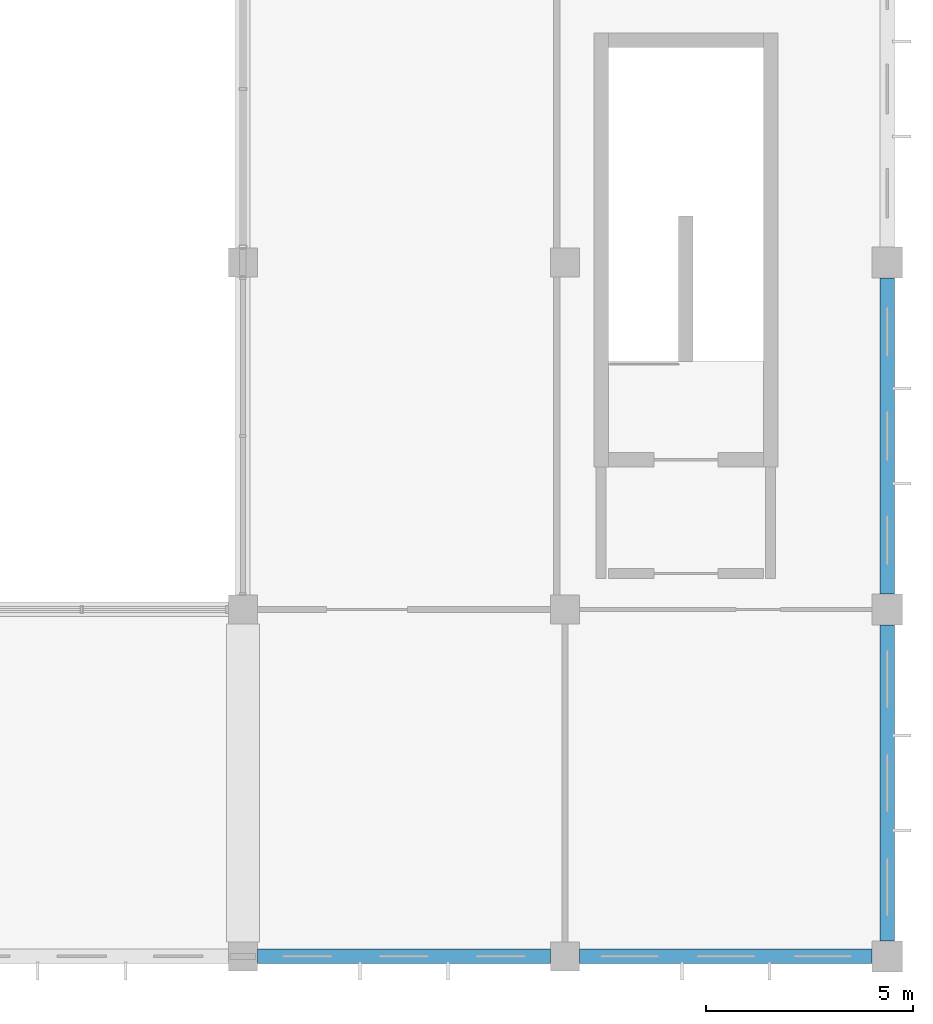
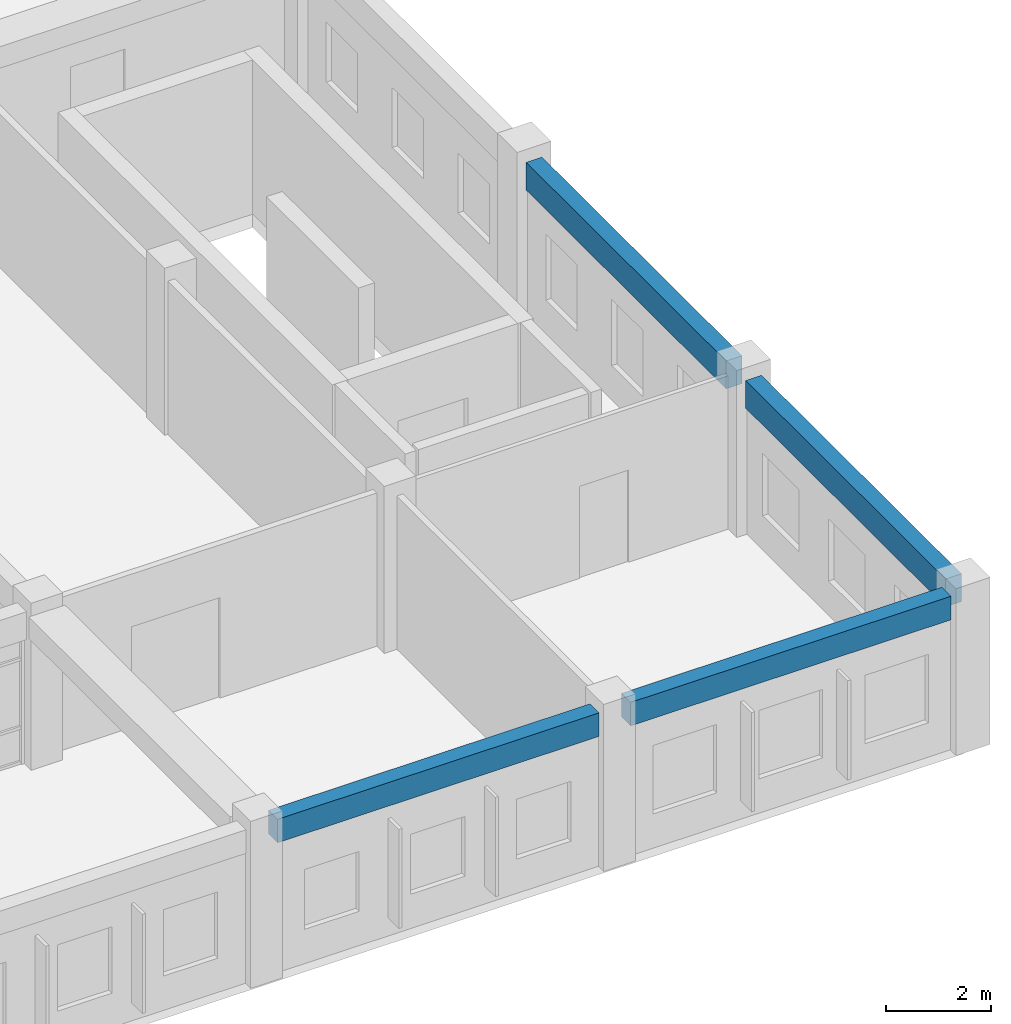
# One storey, part 28 of 72: 4 beams.
"""IFC4 building model written with IfcOpenShell, lengths in metres."""

import ifcopenshell
import ifcopenshell.guid

model = None  # the IFC model being written
_history = None  # IfcOwnerHistory: only IFC2X3 demands one
_inside = {}  # id of a spatial element -> (the spatial element, [elements in it])
_under = {}  # id of a project, library or spatial element -> (it, [spatial elements below it])
_declared = {}  # id of a project -> (the project, [libraries it declares])
_typed = {}  # id of a type object -> (the type object, [elements of that type])
_made_of = {}  # id of a material, layer set ... -> (it, [elements and type objects made of it])


def new_model(schema):
    """Start an empty IFC model of exactly this schema.

    Asked for "IFC4X3", IfcOpenShell would pick the latest addendum, in which some entities
    have other attributes; the version numbers below select the first issue.
    IFC2X3 requires an IfcOwnerHistory on every rooted entity: one is made here for all.
    """
    global model, _history
    if schema == "IFC4X3":
        model = ifcopenshell.file(schema_version=(4, 3, 0, 0))
    else:
        model = ifcopenshell.file(schema=schema)
    _inside.clear()
    _under.clear()
    _declared.clear()
    _typed.clear()
    _made_of.clear()
    _history = None
    if model.schema == "IFC2X3":
        org = make("IfcOrganization", Name="unknown")
        user = make(
            "IfcPersonAndOrganization",
            ThePerson=make("IfcPerson", FamilyName="unknown"),
            TheOrganization=org,
        )
        app = make(
            "IfcApplication",
            ApplicationDeveloper=org,
            Version="unknown",
            ApplicationFullName="unknown",
            ApplicationIdentifier="unknown",
        )
        _history = make(
            "IfcOwnerHistory",
            OwningUser=user,
            OwningApplication=app,
            ChangeAction="ADDED",
            CreationDate=0,
        )
    return model


def make(cls, **values):
    """One entity of the class cls with the attributes given. An attribute that is None is left unset."""
    return model.create_entity(
        cls, **{name: value for name, value in values.items() if value is not None}
    )


def rooted(cls, **values):
    """An entity with a GlobalId (a new one), such as an element, a storey or a relation."""
    return make(cls, GlobalId=ifcopenshell.guid.new(), OwnerHistory=_history, **values)


def si_unit(unit_type, name, prefix=None):
    """IfcSIUnit, for example si_unit("LENGTHUNIT", "METRE", prefix="MILLI")."""
    return make("IfcSIUnit", UnitType=unit_type, Prefix=prefix, Name=name)


def assignment(units):
    """IfcUnitAssignment: the units of a project."""
    return None if units is None else make("IfcUnitAssignment", Units=units)


def point(xyz):
    """IfcCartesianPoint."""
    return None if xyz is None else make("IfcCartesianPoint", Coordinates=xyz)


def direction(xyz):
    """IfcDirection."""
    return None if xyz is None else make("IfcDirection", DirectionRatios=xyz)


def frame(location, z_axis=None, x_axis=None):
    """IfcAxis2Placement3D, a coordinate frame: its origin and axes. An axis left out is left unset."""
    return make(
        "IfcAxis2Placement3D",
        Location=point(location),
        Axis=direction(z_axis),
        RefDirection=direction(x_axis),
    )


def frame_2d(location, x_axis=None):
    """IfcAxis2Placement2D, a coordinate frame in the plane: its origin and x axis."""
    return make(
        "IfcAxis2Placement2D", Location=point(location), RefDirection=direction(x_axis)
    )


def origin():
    """The frame at (0, 0, 0) with its axes left unset."""
    return frame((0.0, 0.0, 0.0))


def origin_2d():
    """The frame at (0, 0) in the plane with its x axis left unset."""
    return frame_2d((0.0, 0.0))


def place(relative_to, where):
    """IfcLocalPlacement: puts the frame where relative to a parent placement (None: the world)."""
    return make(
        "IfcLocalPlacement", PlacementRelTo=relative_to, RelativePlacement=where
    )


def context(
    kind, dimensions, precision=None, world=None, true_north=None, identifier=None
):
    """IfcGeometricRepresentationContext, for example the 3D "Model" context."""
    return make(
        "IfcGeometricRepresentationContext",
        ContextIdentifier=identifier,
        ContextType=kind,
        CoordinateSpaceDimension=dimensions,
        Precision=precision,
        WorldCoordinateSystem=world,
        TrueNorth=true_north,
    )


def subcontext(parent, identifier, kind, view, scale=None):
    """IfcGeometricRepresentationSubContext, for example "Body" below "Model"."""
    return make(
        "IfcGeometricRepresentationSubContext",
        ContextIdentifier=identifier,
        ContextType=kind,
        ParentContext=parent,
        TargetScale=scale,
        TargetView=view,
    )


def project(units=None, contexts=None):
    """IfcProject with its units and contexts."""
    return rooted(
        "IfcProject",
        Name="project",
        RepresentationContexts=contexts,
        UnitsInContext=assignment(units),
    )


def spatial(cls, under=None, at=None, **own):
    """A site, building, storey or space (cls), placed at a placement, below another one or the project."""
    s = rooted(cls, ObjectPlacement=at, **own)
    if under is not None:
        _under.setdefault(under.id(), (under, []))[1].append(s)
    return s


def profile(cls, at=None, kind="AREA", **sizes):
    """A parametric profile (cls). Its sizes go by their IFC names, for example OverallWidth=200.0."""
    return make(cls, ProfileType=kind, Position=at, **sizes)


def rectangle(**sizes):
    """IfcRectangleProfileDef."""
    return profile("IfcRectangleProfileDef", **sizes)


def extrude(swept, where, along, depth):
    """IfcExtrudedAreaSolid: the profile swept, set in the frame where, extruded along a direction by depth."""
    return make(
        "IfcExtrudedAreaSolid",
        SweptArea=swept,
        Position=where,
        ExtrudedDirection=direction(along),
        Depth=depth,
    )


def shape(context_of_items, identifier, shape_type, items):
    """IfcShapeRepresentation: the items that make up one representation, for example the "Body"."""
    return make(
        "IfcShapeRepresentation",
        ContextOfItems=context_of_items,
        RepresentationIdentifier=identifier,
        RepresentationType=shape_type,
        Items=items,
    )


def material(Name=None, Category=None):
    """IfcMaterial."""
    return make("IfcMaterial", Name=Name, Category=Category)


def material_profile(
    of_material, cross_section, Name=None, Category=None, Priority=None
):
    """IfcMaterialProfile: a cross section and its material."""
    return make(
        "IfcMaterialProfile",
        Name=Name,
        Material=of_material,
        Profile=cross_section,
        Priority=Priority,
        Category=Category,
    )


def profile_set(profiles, Name=None, composite=None):
    """IfcMaterialProfileSet."""
    return make(
        "IfcMaterialProfileSet",
        Name=Name,
        MaterialProfiles=profiles,
        CompositeProfile=composite,
    )


def made_of(thing, what):
    """Note that an element or type object is made of a material, layer set ...; save() writes the relation."""
    if what is not None:
        _made_of.setdefault(what.id(), (what, []))[1].append(thing)
    return thing


def type_object(cls, material=None, **own):
    """A type object (cls), such as IfcWallType, which elements share."""
    return made_of(rooted(cls, **own), material)


def element(
    cls,
    number,
    at=None,
    inside=None,
    cuts=None,
    type_object=None,
    material=None,
    context=None,
    identifier="Body",
    shape_type=None,
    held_by="IfcProductDefinitionShape",
    body=None,
    shapes=None,
    **own,
):
    """One element of the class cls, such as IfcWall. Its Tag is "e" and its number.

    at: its placement. inside: the storey or other place that contains it. cuts: it is an
    opening in that element (IfcRelVoidsElement). A single representation is given by context,
    identifier, shape_type and body (its items); several are given by shapes. held_by: the class
    of the entity that holds the representations. save() writes the other relations.
    """
    e = rooted(cls, Tag="e%d" % number, ObjectPlacement=at, **own)
    if body is not None:
        shapes = [shape(context, identifier, shape_type, body)]
    if shapes is not None:
        e.Representation = make(held_by, Representations=shapes)
    if inside is not None:
        _inside.setdefault(inside.id(), (inside, []))[1].append(e)
    if cuts is not None:
        rooted(
            "IfcRelVoidsElement", RelatingBuildingElement=cuts, RelatedOpeningElement=e
        )
    if type_object is not None:
        _typed.setdefault(type_object.id(), (type_object, []))[1].append(e)
    return made_of(e, material)


def aggregate(whole, parts):
    """IfcRelAggregates: a whole, such as a stair, and the parts it consists of."""
    return rooted("IfcRelAggregates", RelatingObject=whole, RelatedObjects=parts)


def save(model, path):
    """Write the relations noted so far, then the file.

    IfcRelAggregates (storeys below a building ...), IfcRelContainedInSpatialStructure (elements
    in a storey), IfcRelDefinesByType, IfcRelAssociatesMaterial and IfcRelDeclares: one each for
    every whole, place, type object, material and project.
    """
    for whole, parts in _under.values():
        aggregate(whole, parts)
    for where, things in _inside.values():
        rooted(
            "IfcRelContainedInSpatialStructure",
            RelatedElements=things,
            RelatingStructure=where,
        )
    for kind, things in _typed.values():
        rooted("IfcRelDefinesByType", RelatedObjects=things, RelatingType=kind)
    for what, things in _made_of.values():
        rooted("IfcRelAssociatesMaterial", RelatedObjects=things, RelatingMaterial=what)
    for by, libraries in _declared.values():
        rooted("IfcRelDeclares", RelatingContext=by, RelatedDefinitions=libraries)
    model.write(path)


model = new_model("IFC4")

# Units and contexts
model_context = context("Model", 3, precision=1e-05, world=origin(), true_north=direction((0.0, 1.0)))
body_context = subcontext(model_context, "Body", "Model", "MODEL_VIEW")
ifc_project = project(units=[si_unit("LENGTHUNIT", "METRE"), si_unit("AREAUNIT", "SQUARE_METRE"), si_unit("VOLUMEUNIT", "CUBIC_METRE"), si_unit("PLANEANGLEUNIT", "RADIAN"), si_unit("MASSUNIT", "GRAM", prefix="KILO"), si_unit("THERMODYNAMICTEMPERATUREUNIT", "KELVIN"), si_unit("POWERUNIT", "WATT")], contexts=[model_context])

# Site, building, storey
site_placement = place(None, origin())
site = spatial("IfcSite", under=ifc_project, at=site_placement, CompositionType="ELEMENT")
building_placement = place(site_placement, origin())
building = spatial("IfcBuilding", under=site, at=building_placement, Name="Srebrne Nadtorze General Hospital", CompositionType="ELEMENT")
storey_placement = place(building_placement, frame((0.0, 0.0, 22.199951171875)))
storey = spatial("IfcBuildingStorey", under=building, at=storey_placement, Name="L05", CompositionType="ELEMENT", Elevation=22.199951171875)

# Beams
ifc_material_1 = material(Name="Concrete C35/45", Category="concrete")
ifc_material_profile_1 = material_profile(ifc_material_1, rectangle(XDim=0.35009765625, YDim=0.64990234375, at=origin_2d()), Name="RC-BM-350x650")
ifc_profile_set_1 = profile_set([ifc_material_profile_1], Name="Concrete C35/45")
beam_type_1 = type_object("IfcBeamType", Name="Edge beam RC 350x650", PredefinedType="BEAM", material=ifc_profile_set_1)
beam_1_placement = place(storey_placement, frame((148.199951171875, 0.375, 3.275146484375), z_axis=(0.0, 1.0, 0.0), x_axis=(-1.0, 0.0, 0.0)))
element("IfcBeam", 1, at=beam_1_placement, inside=storey, type_object=beam_type_1, Name="Beam BM-L05-Y-1125", PredefinedType="BEAM", context=body_context, shape_type="SweptSolid", body=[
    extrude(rectangle(XDim=0.35009765625, YDim=0.64990234375, at=origin_2d()), origin(), (0.0, 0.0, 1.0), 7.64990234375),
])
beam_2_placement = place(storey_placement, frame((148.199951171875, 8.77490234375, 3.275146484375), z_axis=(0.0, 1.0, 0.0), x_axis=(-1.0, 0.0, 0.0)))
element("IfcBeam", 2, at=beam_2_placement, inside=storey, type_object=beam_type_1, Name="Beam BM-L05-Y-1126", PredefinedType="BEAM", context=body_context, shape_type="SweptSolid", body=[
    extrude(rectangle(XDim=0.35009765625, YDim=0.64990234375, at=origin_2d()), origin(), (0.0, 0.0, 1.0), 7.650146484375),
])
ifc_material_2 = material(Name="Concrete C35/45", Category="concrete")
ifc_material_profile_2 = material_profile(ifc_material_2, rectangle(XDim=0.35009765625, YDim=0.550048828125, at=origin_2d()), Name="RC-BM-350x550")
ifc_profile_set_2 = profile_set([ifc_material_profile_2], Name="Concrete C35/45")
beam_type_2 = type_object("IfcBeamType", Name="Spandrel lintel beam RC 350x550", PredefinedType="LINTEL", material=ifc_profile_set_2)
beam_3_placement = place(storey_placement, frame((132.949951171875, 0.0, 3.324951171875), z_axis=(1.0, 0.0, 0.0), x_axis=(0.0, 1.0, 0.0)))
element("IfcBeam", 3, at=beam_3_placement, inside=storey, type_object=beam_type_2, Name="Beam BM-L05-X-1000", PredefinedType="LINTEL", context=body_context, shape_type="SweptSolid", body=[
    extrude(rectangle(XDim=0.35009765625, YDim=0.550048828125, at=origin_2d()), origin(), (0.0, 0.0, 1.0), 7.10009765625),
])
beam_4_placement = place(storey_placement, frame((140.75, 0.0, 3.324951171875), z_axis=(1.0, 0.0, 0.0), x_axis=(0.0, 1.0, 0.0)))
element("IfcBeam", 4, at=beam_4_placement, inside=storey, type_object=beam_type_2, Name="Beam BM-L05-X-1001", PredefinedType="LINTEL", context=body_context, shape_type="SweptSolid", body=[
    extrude(rectangle(XDim=0.35009765625, YDim=0.550048828125, at=origin_2d()), origin(), (0.0, 0.0, 1.0), 7.074951171875),
])

save(model, "model.ifc")
